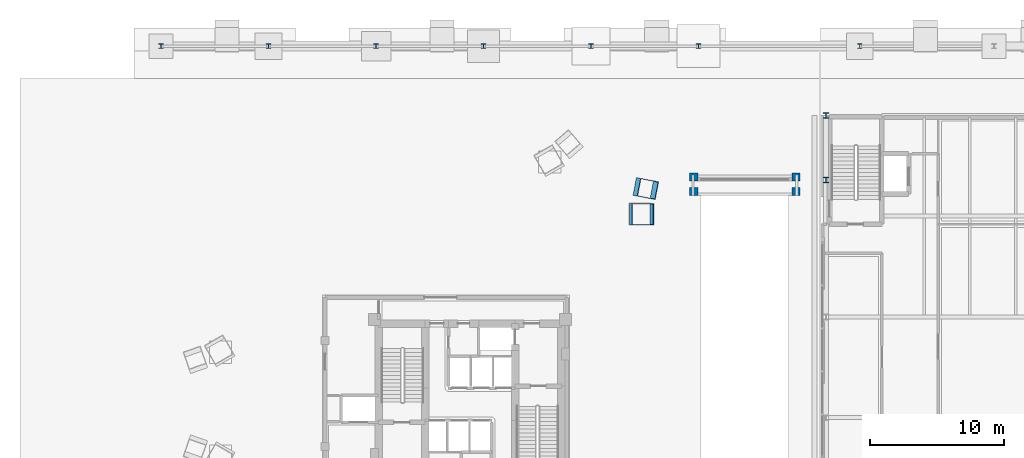
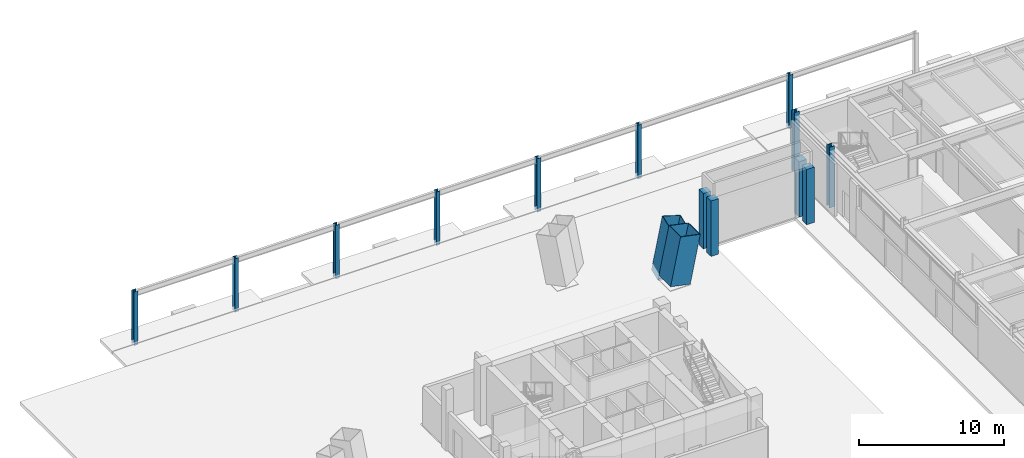
# One storey, part 3 of 21: 15 columns.
"""IFC4 building model written with IfcOpenShell, lengths in metres."""

from ifc_helpers import new_model, si_unit, direction, frame, origin, origin_2d, place, context, subcontext, project, spatial, rectangle, hollow_rectangle, i_section, extrude, material, material_profile, profile_set, type_object, element, save


model = new_model("IFC4")

# Units and contexts
model_context = context("Model", 3, precision=1e-05, world=origin(), true_north=direction((0.0, 1.0)))
body_context = subcontext(model_context, "Body", "Model", "MODEL_VIEW")
ifc_project = project(units=[si_unit("LENGTHUNIT", "METRE"), si_unit("AREAUNIT", "SQUARE_METRE"), si_unit("VOLUMEUNIT", "CUBIC_METRE"), si_unit("PLANEANGLEUNIT", "RADIAN"), si_unit("MASSUNIT", "GRAM", prefix="KILO")], contexts=[model_context])

# Site, building, storey
site_placement = place(None, origin())
site = spatial("IfcSite", under=ifc_project, at=site_placement, CompositionType="ELEMENT")
building_placement = place(site_placement, origin())
building = spatial("IfcBuilding", under=site, at=building_placement, Name="Mersakhor Tower and Convention Hall", CompositionType="ELEMENT")
storey_placement = place(building_placement, origin())
storey = spatial("IfcBuildingStorey", under=building, at=storey_placement, Name="L00", CompositionType="ELEMENT", Elevation=0.0)

# Columns
ifc_material_1 = material(Name="Concrete C70/85 in S460M steel box", Category="concrete")
ifc_material_profile_1 = material_profile(ifc_material_1, hollow_rectangle(XDim=1.35009765625, YDim=1.35009765625, WallThickness=0.035888671875, at=origin_2d()), Name="SHS 1350x1350x36")
ifc_profile_set_1 = profile_set([ifc_material_profile_1], Name="Concrete C70/85 in S460M steel box")
column_type_1 = type_object("IfcColumnType", Name="COL-CFT-1350", PredefinedType="COLUMN", material=ifc_profile_set_1)
column_1_placement = place(storey_placement, frame((41.907470703125, 42.83740234375, -0.64990234375), z_axis=(0.176407802861, -0.033625149278, 0.983742667788), x_axis=(0.187239258917, 0.982314338652, 0.0)))
element("IfcColumn", 1, at=column_1_placement, inside=storey, type_object=column_type_1, Name="L00 Sloping Pilotis Y-Branch Mega-Column PIL-YBR-F2-A", PredefinedType="COLUMN", context=body_context, shape_type="SweptSolid", body=[
    extrude(hollow_rectangle(XDim=1.35009765625, YDim=1.35009765625, WallThickness=0.035888671875, at=origin_2d()), origin(), (0.0, 0.0, 1.0), 4.421630859375),
])
ifc_material_2 = material(Name="Concrete C70/85 in S460M steel box", Category="concrete")
ifc_material_profile_2 = material_profile(ifc_material_2, hollow_rectangle(XDim=1.60009765625, YDim=1.60009765625, WallThickness=0.0400390625, at=origin_2d()), Name="SHS 1600x1600x40")
ifc_profile_set_2 = profile_set([ifc_material_profile_2], Name="Concrete C70/85 in S460M steel box")
column_type_2 = type_object("IfcColumnType", Name="COL-CFT-1600", PredefinedType="COLUMN", material=ifc_profile_set_2)
column_2_placement = place(storey_placement, frame((41.64990234375, 40.904541015625, 0.18994140625), z_axis=(0.200454949536, 0.0, 0.979702920893), x_axis=(0.0, 1.0, 0.0)))
element("IfcColumn", 2, at=column_2_placement, inside=storey, type_object=column_type_2, Name="L00 Sloping Pilotis Mega-Column PIL-F2-1", PredefinedType="COLUMN", context=body_context, shape_type="SweptSolid", body=[
    extrude(hollow_rectangle(XDim=1.60009765625, YDim=1.60009765625, WallThickness=0.0400390625, at=origin_2d()), origin(), (0.0, 0.0, 1.0), 3.9912109375),
])
ifc_material_3 = material(Name="Concrete C50/60", Category="concrete")
ifc_material_profile_3 = material_profile(ifc_material_3, rectangle(XDim=0.60009765625, YDim=0.60009765625, at=origin_2d()), Name="RC 600x600")
ifc_profile_set_3 = profile_set([ifc_material_profile_3], Name="Concrete C50/60")
column_type_3 = type_object("IfcColumnType", Name="COL-RC-600", PredefinedType="COLUMN", material=ifc_profile_set_3)
for number, where, z_axis, x_axis, name in (
    (3, (45.64990234375, 42.60009765625, 0.0), (0.0, 0.0, 1.0), (1.0, 0.0, 0.0), "Vehicle Ramp Portal Support Column RPC-1"),
    (4, (53.25, 42.60009765625, 0.0), (0.0, 0.0, 1.0), (1.0, 0.0, 0.0), "Vehicle Ramp Portal Support Column RPC-2"),
    (5, (45.64990234375, 43.64990234375, 0.0), (0.0, 0.0, 1.0), (1.0, 0.0, 0.0), "Vehicle Ramp Portal Support Column RPC-3"),
    (6, (53.25, 43.64990234375, 0.0), (0.0, 0.0, 1.0), (1.0, 0.0, 0.0), "Vehicle Ramp Portal Support Column RPC-4"),
):
    element("IfcColumn", number, at=place(storey_placement, frame(where, z_axis=z_axis, x_axis=x_axis)), inside=storey, type_object=column_type_3, Name=name, PredefinedType="COLUMN", context=body_context, shape_type="SweptSolid", body=[
        extrude(rectangle(XDim=0.60009765625, YDim=0.60009765625, at=origin_2d()), origin(), (0.0, 0.0, 1.0), 4.64990234375),
    ])
ifc_material_4 = material(Name="Steel S355", Category="steel")
ifc_material_profile_4 = material_profile(ifc_material_4, i_section(OverallWidth=0.314453125, OverallDepth=0.33984375, WebThickness=0.01904296875, FlangeThickness=0.031494140625, at=origin_2d()), Name="UC 305x305x198")
ifc_profile_set_4 = profile_set([ifc_material_profile_4], Name="Steel S355")
column_type_4 = type_object("IfcColumnType", Name="COL-STL-UC305", PredefinedType="COLUMN", material=ifc_profile_set_4)
for number, where, z_axis, x_axis, name in (
    (7, (6.0, 53.39990234375, -0.300048828125), (0.0, 0.0, 1.0), (1.0, 0.0, 0.0), "Forecourt Canopy Column SC-1"),
    (8, (14.0, 53.39990234375, -0.300048828125), (0.0, 0.0, 1.0), (1.0, 0.0, 0.0), "Forecourt Canopy Column SC-2"),
    (9, (22.0, 53.39990234375, -0.300048828125), (0.0, 0.0, 1.0), (1.0, 0.0, 0.0), "Forecourt Canopy Column SC-3"),
    (10, (30.0, 53.39990234375, -0.300048828125), (0.0, 0.0, 1.0), (1.0, 0.0, 0.0), "Forecourt Canopy Column SC-4"),
    (11, (38.0, 53.39990234375, -0.300048828125), (0.0, 0.0, 1.0), (1.0, 0.0, 0.0), "Forecourt Canopy Column SC-5"),
    (12, (46.0, 53.39990234375, -0.300048828125), (0.0, 0.0, 1.0), (1.0, 0.0, 0.0), "Forecourt Canopy Column SC-6"),
    (13, (58.0, 53.39990234375, -0.300048828125), (0.0, 0.0, 1.0), (1.0, 0.0, 0.0), "Forecourt Canopy Column SC-7"),
):
    element("IfcColumn", number, at=place(storey_placement, frame(where, z_axis=z_axis, x_axis=x_axis)), inside=storey, type_object=column_type_4, Name=name, PredefinedType="COLUMN", context=body_context, shape_type="SweptSolid", body=[
        extrude(i_section(OverallWidth=0.314453125, OverallDepth=0.33984375, WebThickness=0.01904296875, FlangeThickness=0.031494140625, at=origin_2d()), origin(), (0.0, 0.0, 1.0), 4.5),
    ])
ifc_material_5 = material(Name="Steel S355", Category="steel")
ifc_material_profile_5 = material_profile(ifc_material_5, i_section(OverallWidth=0.39892578125, OverallDepth=0.3935546875, WebThickness=0.022705078125, FlangeThickness=0.03662109375, at=origin_2d()), Name="UC 356x406x287")
ifc_profile_set_5 = profile_set([ifc_material_profile_5], Name="Steel S355")
column_type_5 = type_object("IfcColumnType", Name="COL-STL-UC356", PredefinedType="COLUMN", material=ifc_profile_set_5)
for number, where, z_axis, x_axis, name in (
    (14, (55.5, 43.449951171875, 0.0), (0.0, 0.0, 1.0), (1.0, 0.0, 0.0), "Convention L00 Perimeter Column SC-W6"),
    (15, (55.5, 48.25, 0.0), (0.0, 0.0, 1.0), (1.0, 0.0, 0.0), "Convention L00 Perimeter Column SC-W7"),
):
    element("IfcColumn", number, at=place(storey_placement, frame(where, z_axis=z_axis, x_axis=x_axis)), inside=storey, type_object=column_type_5, Name=name, PredefinedType="COLUMN", context=body_context, shape_type="SweptSolid", body=[
        extrude(i_section(OverallWidth=0.39892578125, OverallDepth=0.3935546875, WebThickness=0.022705078125, FlangeThickness=0.03662109375, at=origin_2d()), origin(), (0.0, 0.0, 1.0), 5.10009765625),
    ])

save(model, "model.ifc")
